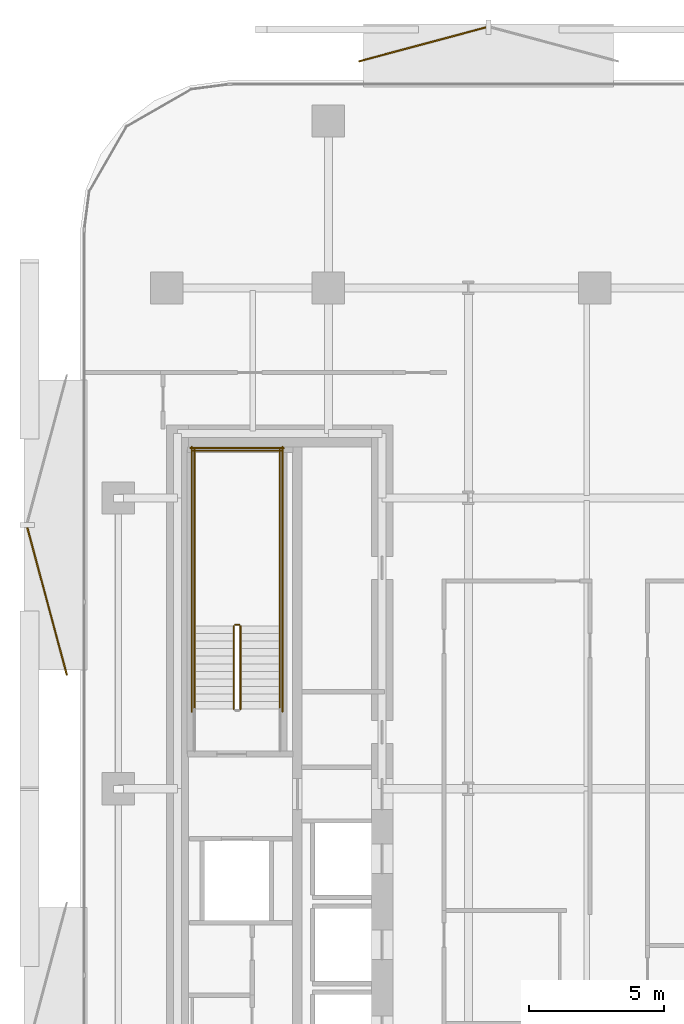
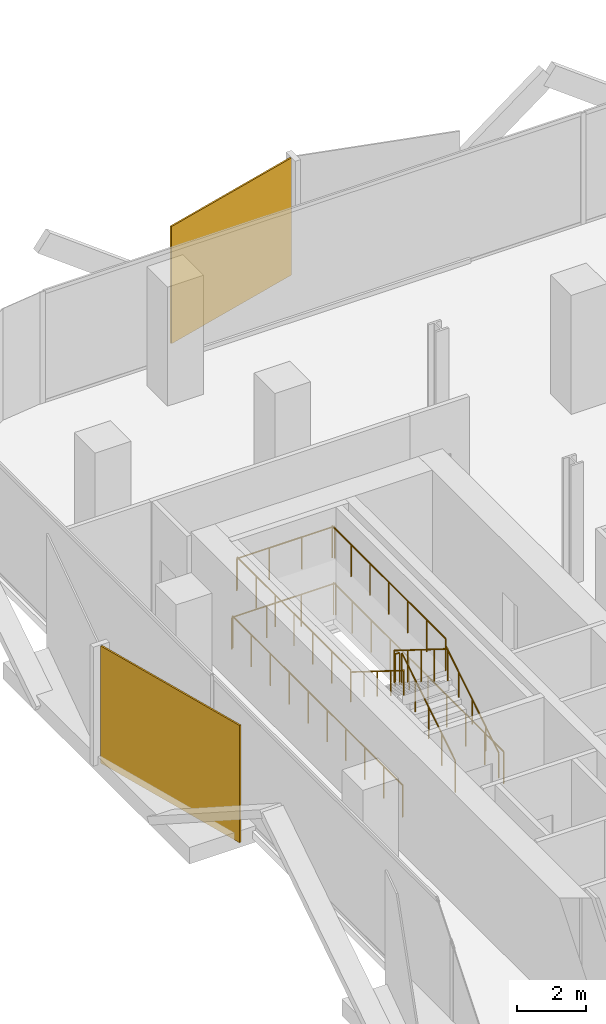
# One storey, part 14 of 15: 11 railings, 2 coverings.
"""IFC4 building model written with IfcOpenShell, lengths in metres."""

from ifc_helpers import new_model, si_unit, direction, frame, origin, origin_2d, place, context, subcontext, project, spatial, rectangle, circle, extrude, material, layer, layer_set, type_object, element, save


model = new_model("IFC4")

# Units and contexts
model_context = context("Model", 3, precision=1e-05, world=origin(), true_north=direction((0.0, 1.0)))
body_context = subcontext(model_context, "Body", "Model", "MODEL_VIEW")
ifc_project = project(units=[si_unit("LENGTHUNIT", "METRE"), si_unit("AREAUNIT", "SQUARE_METRE"), si_unit("VOLUMEUNIT", "CUBIC_METRE"), si_unit("PLANEANGLEUNIT", "RADIAN"), si_unit("MASSUNIT", "GRAM", prefix="KILO")], contexts=[model_context])

# Site, building, storey
site_placement = place(None, origin())
site = spatial("IfcSite", under=ifc_project, at=site_placement, CompositionType="ELEMENT")
building_placement = place(site_placement, origin())
building = spatial("IfcBuilding", under=site, at=building_placement, Name="Khairoan Windgate Tower", CompositionType="ELEMENT")
storey_placement = place(building_placement, frame((0.0, 0.0, 101.60009765625)))
storey = spatial("IfcBuildingStorey", under=building, at=storey_placement, Name="L23", CompositionType="ELEMENT", Elevation=101.60009765625)

# Coverings
ifc_material_1 = material(Name="Anodised Bronze Aluminium 6063-T6", Category="aluminium")
ifc_layer = layer(ifc_material_1, 0.054931640625, Name="Anodised Bronze Aluminium 6063-T6")
ifc_layer_set = layer_set([ifc_layer], Name="Anodised Bronze Aluminium 6063-T6")
covering_type = type_object("IfcCoveringType", Name="Perforated Bronze-Ceramic Folded Solar Screen Cladding BSC-1", PredefinedType="CLADDING", material=ifc_layer_set)
covering_1_placement = place(storey_placement, frame((-24.8447265625, 6.961669921875, -0.10009765625), z_axis=(0.0, 0.0, 1.0), x_axis=(-0.258819045103, 0.965925826289, 0.0)))
element("IfcCovering", 1, at=covering_1_placement, inside=storey, type_object=covering_type, Name="L23 Folded Bronze Solar Screen Facet 132L", PredefinedType="CLADDING", context=body_context, shape_type="SweptSolid", body=[
    extrude(rectangle(XDim=5.680908203125, YDim=0.054931640625, at=origin_2d()), origin(), (0.0, 0.0, 1.0), 4.139892578125),
])
covering_2_placement = place(storey_placement, frame((-10.90087890625, 27.646240234375, -0.10009765625), z_axis=(0.0, 0.0, 1.0), x_axis=(0.965925826289, 0.258819045103, 0.0)))
element("IfcCovering", 2, at=covering_2_placement, inside=storey, type_object=covering_type, Name="L23 Folded Bronze Solar Screen Facet 133L", PredefinedType="CLADDING", context=body_context, shape_type="SweptSolid", body=[
    extrude(rectangle(XDim=4.89794921875, YDim=0.054931640625, at=origin_2d()), origin(), (0.0, 0.0, 1.0), 4.139892578125),
])

# Railings
ifc_material_2 = material(Name="Anodised Bronze Aluminium 6063-T6", Category="aluminium")
railing_type_1 = type_object("IfcRailingType", Name="Stair Wall Handrail SHR-900", PredefinedType="HANDRAIL", material=ifc_material_2)
railing_1_placement = place(storey_placement, frame((-16.199951171875, 2.9599609375, 0.1748046875)))
element("IfcRailing", 3, at=railing_1_placement, inside=storey, type_object=railing_type_1, Name="L23 ST2 stair handrail 1", PredefinedType="HANDRAIL", context=body_context, shape_type="SweptSolid", body=[
    extrude(circle(Radius=0.02392578125, at=origin_2d()), frame((0.0, 0.0, 0.8759765625), z_axis=(0.0, 0.847998304005, 0.529998940003), x_axis=(-1.0, 0.0, 0.0)), (0.0, 0.0, 1.0), 3.632080078125),
    extrude(circle(Radius=0.02099609375, at=origin_2d()), origin(), (0.0, 0.0, 1.0), 0.851806640625),
    extrude(circle(Radius=0.02099609375, at=origin_2d()), frame((0.0, 0.77001953125, 0.481201171875)), (0.0, 0.0, 1.0), 0.851806640625),
    extrude(circle(Radius=0.02099609375, at=origin_2d()), frame((0.0, 1.5400390625, 0.96240234375)), (0.0, 0.0, 1.0), 0.851806640625),
    extrude(circle(Radius=0.02099609375, at=origin_2d()), frame((0.0, 2.31005859375, 1.44384765625)), (0.0, 0.0, 1.0), 0.851806640625),
    extrude(circle(Radius=0.02099609375, at=origin_2d()), frame((0.0, 3.080078125, 1.925048828125)), (0.0, 0.0, 1.0), 0.851806640625),
])
railing_2_placement = place(storey_placement, frame((-19.3701171875, 6.0400390625, 2.27490234375)))
element("IfcRailing", 4, at=railing_2_placement, inside=storey, type_object=railing_type_1, Name="L23 ST2 stair handrail 2", PredefinedType="HANDRAIL", context=body_context, shape_type="SweptSolid", body=[
    extrude(circle(Radius=0.02392578125, at=origin_2d()), frame((0.0, 0.0, 0.8759765625), z_axis=(0.0, -0.847998304005, 0.529998940003), x_axis=(1.0, 0.0, 0.0)), (0.0, 0.0, 1.0), 3.632080078125),
    extrude(circle(Radius=0.02099609375, at=origin_2d()), origin(), (0.0, 0.0, 1.0), 0.851806640625),
    extrude(circle(Radius=0.02099609375, at=origin_2d()), frame((0.0, -0.77001953125, 0.481201171875)), (0.0, 0.0, 1.0), 0.851806640625),
    extrude(circle(Radius=0.02099609375, at=origin_2d()), frame((0.0, -1.5400390625, 0.96240234375)), (0.0, 0.0, 1.0), 0.851806640625),
    extrude(circle(Radius=0.02099609375, at=origin_2d()), frame((0.0, -2.31005859375, 1.44384765625)), (0.0, 0.0, 1.0), 0.851806640625),
    extrude(circle(Radius=0.02099609375, at=origin_2d()), frame((0.0, -3.080078125, 1.925048828125)), (0.0, 0.0, 1.0), 0.851806640625),
])
ifc_material_3 = material(Name="Steel S355", Category="steel")
railing_type_2 = type_object("IfcRailingType", Name="Stairwell Safety Guardrail SGR-1150", PredefinedType="GUARDRAIL", material=ifc_material_3)
railing_3_placement = place(storey_placement, frame((-17.659912109375, 2.9599609375, 0.1748046875)))
element("IfcRailing", 5, at=railing_3_placement, inside=storey, type_object=railing_type_2, Name="L23 ST2 stair guard 1", PredefinedType="GUARDRAIL", context=body_context, shape_type="SweptSolid", body=[
    extrude(circle(Radius=0.02392578125, at=origin_2d()), frame((0.0, 0.0, 1.1259765625), z_axis=(0.0, 0.847998304005, 0.529998940003), x_axis=(-1.0, 0.0, 0.0)), (0.0, 0.0, 1.0), 3.632080078125),
    extrude(circle(Radius=0.02099609375, at=origin_2d()), origin(), (0.0, 0.0, 1.0), 1.101806640625),
    extrude(circle(Radius=0.02099609375, at=origin_2d()), frame((0.0, 0.77001953125, 0.481201171875)), (0.0, 0.0, 1.0), 1.101806640625),
    extrude(circle(Radius=0.02099609375, at=origin_2d()), frame((0.0, 1.5400390625, 0.96240234375)), (0.0, 0.0, 1.0), 1.101806640625),
    extrude(circle(Radius=0.02099609375, at=origin_2d()), frame((0.0, 2.31005859375, 1.44384765625)), (0.0, 0.0, 1.0), 1.101806640625),
    extrude(circle(Radius=0.02099609375, at=origin_2d()), frame((0.0, 3.080078125, 1.925048828125)), (0.0, 0.0, 1.0), 1.101806640625),
])
railing_4_placement = place(storey_placement, frame((-17.7099609375, 6.090087890625, 2.099853515625)))
element("IfcRailing", 6, at=railing_4_placement, inside=storey, type_object=railing_type_2, Name="L23 ST2 stair guard 2", PredefinedType="GUARDRAIL", context=body_context, shape_type="SweptSolid", body=[
    extrude(circle(Radius=0.02392578125, at=origin_2d()), frame((0.0, 0.0, 1.1259765625), z_axis=(-1.0, 0.0, 0.0), x_axis=(0.0, -1.0, 0.0)), (0.0, 0.0, 1.0), 0.150146484375),
    extrude(circle(Radius=0.02099609375, at=origin_2d()), origin(), (0.0, 0.0, 1.0), 1.101806640625),
    extrude(circle(Radius=0.02099609375, at=origin_2d()), frame((-0.150146484375, 0.0, 0.0)), (0.0, 0.0, 1.0), 1.101806640625),
])
for number, where, name in (
    (7, (-16.199951171875, 6.0400390625, 2.099853515625), "L23 ST2 stair guard 3"),
    (8, (-19.3701171875, 6.0400390625, 2.099853515625), "L23 ST2 stair guard 4"),
):
    element("IfcRailing", number, at=place(storey_placement, frame(where)), inside=storey, type_object=railing_type_2, Name=name, PredefinedType="GUARDRAIL", context=body_context, shape_type="SweptSolid", body=[
        extrude(circle(Radius=0.02392578125, at=origin_2d()), frame((0.0, 0.0, 1.1259765625), z_axis=(0.0, 1.0, 0.0), x_axis=(-1.0, 0.0, 0.0)), (0.0, 0.0, 1.0), 6.56005859375),
        extrude(circle(Radius=0.02099609375, at=origin_2d()), origin(), (0.0, 0.0, 1.0), 1.101806640625),
        extrude(circle(Radius=0.02099609375, at=origin_2d()), frame((0.0, 1.09326171875, 0.0)), (0.0, 0.0, 1.0), 1.101806640625),
        extrude(circle(Radius=0.02099609375, at=origin_2d()), frame((0.0, 2.186767578125, 0.0)), (0.0, 0.0, 1.0), 1.101806640625),
        extrude(circle(Radius=0.02099609375, at=origin_2d()), frame((0.0, 3.280029296875, 0.0)), (0.0, 0.0, 1.0), 1.101806640625),
        extrude(circle(Radius=0.02099609375, at=origin_2d()), frame((0.0, 4.373291015625, 0.0)), (0.0, 0.0, 1.0), 1.101806640625),
        extrude(circle(Radius=0.02099609375, at=origin_2d()), frame((0.0, 5.466796875, 0.0)), (0.0, 0.0, 1.0), 1.101806640625),
        extrude(circle(Radius=0.02099609375, at=origin_2d()), frame((0.0, 6.56005859375, 0.0)), (0.0, 0.0, 1.0), 1.101806640625),
    ])
railing_5_placement = place(storey_placement, frame((-16.14990234375, 12.550048828125, 2.099853515625)))
element("IfcRailing", 9, at=railing_5_placement, inside=storey, type_object=railing_type_2, Name="L23 ST2 stair guard 5", PredefinedType="GUARDRAIL", context=body_context, shape_type="SweptSolid", body=[
    extrude(circle(Radius=0.02392578125, at=origin_2d()), frame((0.0, 0.0, 1.1259765625), z_axis=(-1.0, 0.0, 0.0), x_axis=(0.0, -1.0, 0.0)), (0.0, 0.0, 1.0), 3.27001953125),
    extrude(circle(Radius=0.02099609375, at=origin_2d()), origin(), (0.0, 0.0, 1.0), 1.101806640625),
    extrude(circle(Radius=0.02099609375, at=origin_2d()), frame((-1.090087890625, 0.0, 0.0)), (0.0, 0.0, 1.0), 1.101806640625),
    extrude(circle(Radius=0.02099609375, at=origin_2d()), frame((-2.179931640625, 0.0, 0.0)), (0.0, 0.0, 1.0), 1.101806640625),
    extrude(circle(Radius=0.02099609375, at=origin_2d()), frame((-3.27001953125, 0.0, 0.0)), (0.0, 0.0, 1.0), 1.101806640625),
])
railing_6_placement = place(storey_placement, frame((-17.909912109375, 6.0400390625, 2.27490234375)))
element("IfcRailing", 10, at=railing_6_placement, inside=storey, type_object=railing_type_2, Name="L23 ST2 stair guard 6", PredefinedType="GUARDRAIL", context=body_context, shape_type="SweptSolid", body=[
    extrude(circle(Radius=0.02392578125, at=origin_2d()), frame((0.0, 0.0, 1.1259765625), z_axis=(0.0, -0.847998304005, 0.529998940003), x_axis=(1.0, 0.0, 0.0)), (0.0, 0.0, 1.0), 3.632080078125),
    extrude(circle(Radius=0.02099609375, at=origin_2d()), origin(), (0.0, 0.0, 1.0), 1.101806640625),
    extrude(circle(Radius=0.02099609375, at=origin_2d()), frame((0.0, -0.77001953125, 0.481201171875)), (0.0, 0.0, 1.0), 1.101806640625),
    extrude(circle(Radius=0.02099609375, at=origin_2d()), frame((0.0, -1.5400390625, 0.96240234375)), (0.0, 0.0, 1.0), 1.101806640625),
    extrude(circle(Radius=0.02099609375, at=origin_2d()), frame((0.0, -2.31005859375, 1.44384765625)), (0.0, 0.0, 1.0), 1.101806640625),
    extrude(circle(Radius=0.02099609375, at=origin_2d()), frame((0.0, -3.080078125, 1.925048828125)), (0.0, 0.0, 1.0), 1.101806640625),
])
for number, where, name in (
    (11, (-16.10009765625, 2.860107421875, 0.0), "L23 ST2 stair guard 10"),
    (12, (-19.469970703125, 2.860107421875, 0.0), "L23 ST2 stair guard 11"),
):
    element("IfcRailing", number, at=place(storey_placement, frame(where)), inside=storey, type_object=railing_type_2, Name=name, PredefinedType="GUARDRAIL", context=body_context, shape_type="SweptSolid", body=[
        extrude(circle(Radius=0.02392578125, at=origin_2d()), frame((0.0, 0.0, 1.1259765625), z_axis=(0.0, 1.0, 0.0), x_axis=(-1.0, 0.0, 0.0)), (0.0, 0.0, 1.0), 9.83984375),
        extrude(circle(Radius=0.02099609375, at=origin_2d()), origin(), (0.0, 0.0, 1.0), 1.101806640625),
        extrude(circle(Radius=0.02099609375, at=origin_2d()), frame((0.0, 1.09326171875, 0.0)), (0.0, 0.0, 1.0), 1.101806640625),
        extrude(circle(Radius=0.02099609375, at=origin_2d()), frame((0.0, 2.1865234375, 0.0)), (0.0, 0.0, 1.0), 1.101806640625),
        extrude(circle(Radius=0.02099609375, at=origin_2d()), frame((0.0, 3.280029296875, 0.0)), (0.0, 0.0, 1.0), 1.101806640625),
        extrude(circle(Radius=0.02099609375, at=origin_2d()), frame((0.0, 4.373291015625, 0.0)), (0.0, 0.0, 1.0), 1.101806640625),
        extrude(circle(Radius=0.02099609375, at=origin_2d()), frame((0.0, 5.466552734375, 0.0)), (0.0, 0.0, 1.0), 1.101806640625),
        extrude(circle(Radius=0.02099609375, at=origin_2d()), frame((0.0, 6.559814453125, 0.0)), (0.0, 0.0, 1.0), 1.101806640625),
        extrude(circle(Radius=0.02099609375, at=origin_2d()), frame((0.0, 7.6533203125, 0.0)), (0.0, 0.0, 1.0), 1.101806640625),
        extrude(circle(Radius=0.02099609375, at=origin_2d()), frame((0.0, 8.74658203125, 0.0)), (0.0, 0.0, 1.0), 1.101806640625),
        extrude(circle(Radius=0.02099609375, at=origin_2d()), frame((0.0, 9.83984375, 0.0)), (0.0, 0.0, 1.0), 1.101806640625),
    ])
railing_7_placement = place(storey_placement, frame((-16.050048828125, 12.64990234375, 0.0)))
element("IfcRailing", 13, at=railing_7_placement, inside=storey, type_object=railing_type_2, Name="L23 ST2 stair guard 12", PredefinedType="GUARDRAIL", context=body_context, shape_type="SweptSolid", body=[
    extrude(circle(Radius=0.02392578125, at=origin_2d()), frame((0.0, 0.0, 1.1259765625), z_axis=(-1.0, 0.0, 0.0), x_axis=(0.0, -1.0, 0.0)), (0.0, 0.0, 1.0), 3.469970703125),
    extrude(circle(Radius=0.02099609375, at=origin_2d()), origin(), (0.0, 0.0, 1.0), 1.101806640625),
    extrude(circle(Radius=0.02099609375, at=origin_2d()), frame((-1.15673828125, 0.0, 0.0)), (0.0, 0.0, 1.0), 1.101806640625),
    extrude(circle(Radius=0.02099609375, at=origin_2d()), frame((-2.313232421875, 0.0, 0.0)), (0.0, 0.0, 1.0), 1.101806640625),
    extrude(circle(Radius=0.02099609375, at=origin_2d()), frame((-3.469970703125, 0.0, 0.0)), (0.0, 0.0, 1.0), 1.101806640625),
])

save(model, "model.ifc")
